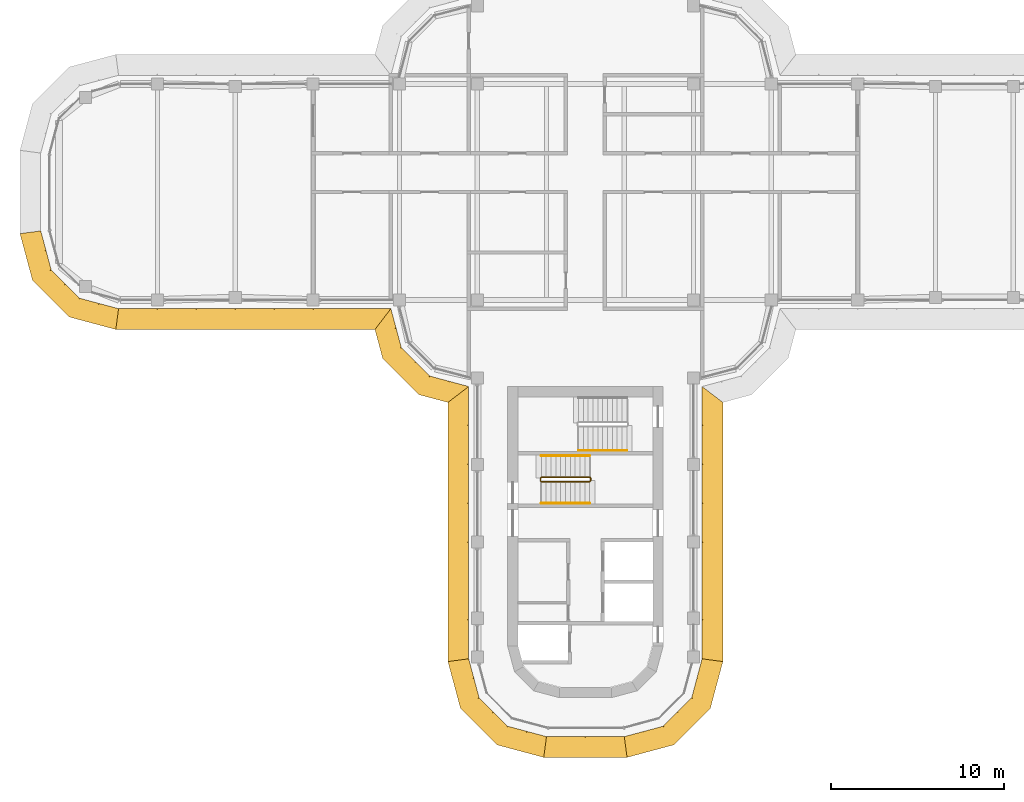
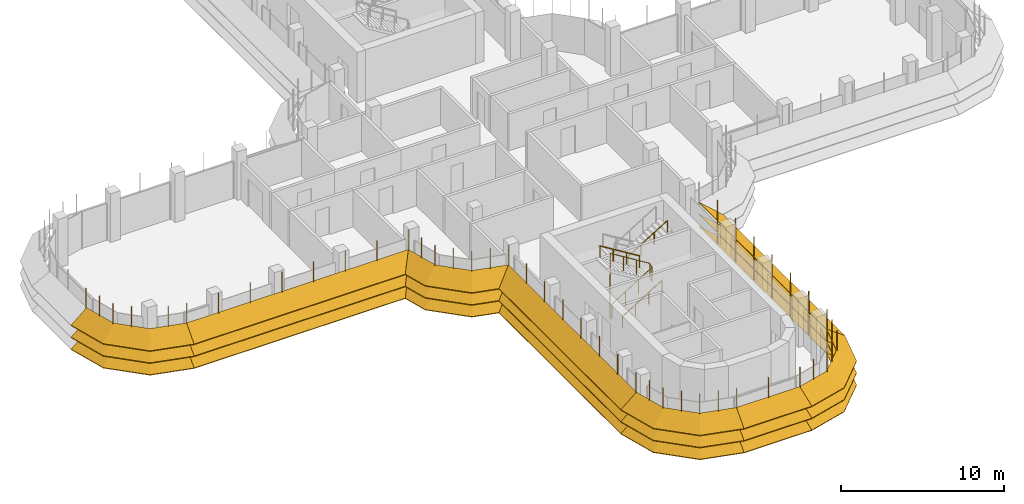
# One storey, part 16 of 18: 8 shading devices, 4 railings.
"""IFC4 building model written with IfcOpenShell, lengths in metres."""

from ifc_helpers import new_model, si_unit, direction, frame, origin, origin_2d, place, context, subcontext, project, spatial, polyline, circle, outline, extrude, faceted_brep, source, transform, mapped, material, type_object, element, save


model = new_model("IFC4")

# Units and contexts
model_context = context("Model", 3, precision=1e-05, world=origin(), true_north=direction((0.0, 1.0)))
body_context = subcontext(model_context, "Body", "Model", "MODEL_VIEW")
ifc_project = project(units=[si_unit("LENGTHUNIT", "METRE"), si_unit("AREAUNIT", "SQUARE_METRE"), si_unit("VOLUMEUNIT", "CUBIC_METRE"), si_unit("PLANEANGLEUNIT", "RADIAN"), si_unit("MASSUNIT", "GRAM", prefix="KILO")], contexts=[model_context])

# Site, building, storey
site_placement = place(None, origin())
site = spatial("IfcSite", under=ifc_project, at=site_placement, CompositionType="ELEMENT")
building_placement = place(site_placement, origin())
building = spatial("IfcBuilding", under=site, at=building_placement, Name="Zarbagh Exchange Tower", CompositionType="ELEMENT")
storey_placement = place(building_placement, frame((0.0, 0.0, 210.60009765625)))
storey = spatial("IfcBuildingStorey", under=building, at=storey_placement, Name="L51", CompositionType="ELEMENT", Elevation=210.60009765625)

# Railings
ifc_material_1 = material(Name="Stainless steel", Category="steel")
railing_type_1 = type_object("IfcRailingType", Name="Stair guard 1100 mm", PredefinedType="GUARDRAIL", material=ifc_material_1)
railing_1_placement = place(storey_placement, frame((-2.550048828125, -16.75, 0.172607421875)))
element("IfcRailing", 1, at=railing_1_placement, inside=storey, type_object=railing_type_1, Name="ST3 stair guard 1", PredefinedType="GUARDRAIL", context=body_context, shape_type="SweptSolid", body=[
    extrude(circle(Radius=0.02392578125, at=origin_2d()), frame((0.0, 0.0, 1.076171875), z_axis=(0.851089632645, 0.0, 0.525020415988), x_axis=(0.0, 1.0, 0.0)), (0.0, 0.0, 1.0), 3.2900390625),
    extrude(circle(Radius=0.02392578125, at=origin_2d()), frame((2.800048828125, 0.0, 2.80322265625), z_axis=(0.707106781187, 0.707106781187, 0.0), x_axis=(-0.707106781187, 0.707106781187, 0.0)), (0.0, 0.0, 1.0), 0.07080078125),
    extrude(circle(Radius=0.02392578125, at=origin_2d()), frame((2.85009765625, 0.050048828125, 2.80322265625), z_axis=(0.0, 1.0, 0.0), x_axis=(-1.0, 0.0, 0.0)), (0.0, 0.0, 1.0), 0.14990234375),
    extrude(circle(Radius=0.02392578125, at=origin_2d()), frame((2.85009765625, 0.199951171875, 2.80322265625), z_axis=(-0.268277960024, 0.268277960024, 0.925231793839), x_axis=(-0.707106781187, -0.707106781187, 0.0)), (0.0, 0.0, 1.0), 0.1865234375),
    extrude(circle(Radius=0.02392578125, at=origin_2d()), frame((2.800048828125, 0.25, 2.97607421875), z_axis=(-0.851089632645, 0.0, 0.525020415988), x_axis=(0.0, -1.0, 0.0)), (0.0, 0.0, 1.0), 3.2900390625),
    extrude(circle(Radius=0.02392578125, at=origin_2d()), frame((0.0, 0.25, 4.703125), z_axis=(-0.013169136761, -0.013169136761, -0.999826558796), x_axis=(0.707106781187, -0.707106781187, 0.0)), (0.0, 0.0, 1.0), 3.800537109375),
    extrude(circle(Radius=0.02392578125, at=origin_2d()), frame((-0.050048828125, 0.199951171875, 0.9033203125), z_axis=(0.0, -1.0, 0.0), x_axis=(1.0, 0.0, 0.0)), (0.0, 0.0, 1.0), 0.14990234375),
    extrude(circle(Radius=0.02099609375, at=origin_2d()), origin(), (0.0, 0.0, 1.0), 1.052001953125),
    extrude(circle(Radius=0.02099609375, at=origin_2d()), frame((0.933349609375, 0.0, 0.57568359375)), (0.0, 0.0, 1.0), 1.052001953125),
    extrude(circle(Radius=0.02099609375, at=origin_2d()), frame((1.86669921875, 0.0, 1.151611328125)), (0.0, 0.0, 1.0), 1.052001953125),
    extrude(circle(Radius=0.02099609375, at=origin_2d()), frame((2.800048828125, 0.0, 1.727294921875)), (0.0, 0.0, 1.0), 1.052001953125),
    extrude(circle(Radius=0.02099609375, at=origin_2d()), frame((2.85009765625, 0.050048828125, 1.727294921875)), (0.0, 0.0, 1.0), 1.052001953125),
    extrude(circle(Radius=0.02099609375, at=origin_2d()), frame((2.85009765625, 0.199951171875, 1.727294921875)), (0.0, 0.0, 1.0), 1.052001953125),
    extrude(circle(Radius=0.02099609375, at=origin_2d()), frame((2.800048828125, 0.25, 1.89990234375)), (0.0, 0.0, 1.0), 1.052001953125),
    extrude(circle(Radius=0.02099609375, at=origin_2d()), frame((1.86669921875, 0.25, 2.4755859375)), (0.0, 0.0, 1.0), 1.052001953125),
    extrude(circle(Radius=0.02099609375, at=origin_2d()), frame((0.933349609375, 0.25, 3.051513671875)), (0.0, 0.0, 1.0), 1.052001953125),
    extrude(circle(Radius=0.02099609375, at=origin_2d()), frame((0.0, 0.25, 3.627197265625)), (0.0, 0.0, 1.0), 1.052001953125),
    extrude(circle(Radius=0.02099609375, at=origin_2d()), frame((-0.012451171875, 0.237548828125, 2.67724609375)), (0.0, 0.0, 1.0), 1.052001953125),
    extrude(circle(Radius=0.02099609375, at=origin_2d()), frame((-0.02490234375, 0.22509765625, 1.727294921875)), (0.0, 0.0, 1.0), 1.052001953125),
    extrude(circle(Radius=0.02099609375, at=origin_2d()), frame((-0.03759765625, 0.21240234375, 0.77734375)), (0.0, 0.0, 1.0), 1.052001953125),
    extrude(circle(Radius=0.02099609375, at=origin_2d()), frame((-0.050048828125, 0.199951171875, -0.172607421875)), (0.0, 0.0, 1.0), 1.052001953125),
    extrude(circle(Radius=0.02099609375, at=origin_2d()), frame((-0.050048828125, 0.050048828125, -0.172607421875)), (0.0, 0.0, 1.0), 1.052001953125),
])
railing_type_2 = type_object("IfcRailingType", Name="Stair handrail 900 mm", PredefinedType="HANDRAIL", material=ifc_material_1)
railing_2_placement = place(storey_placement, frame((-2.550048828125, -18.0, 0.172607421875)))
element("IfcRailing", 2, at=railing_2_placement, inside=storey, type_object=railing_type_2, Name="ST3 stair handrail 1", PredefinedType="HANDRAIL", context=body_context, shape_type="SweptSolid", body=[
    extrude(circle(Radius=0.02392578125, at=origin_2d()), frame((0.0, 0.0, 0.8759765625), z_axis=(0.851089632645, 0.0, 0.525020415988), x_axis=(0.0, 1.0, 0.0)), (0.0, 0.0, 1.0), 3.2900390625),
    extrude(circle(Radius=0.02099609375, at=origin_2d()), origin(), (0.0, 0.0, 1.0), 0.851806640625),
    extrude(circle(Radius=0.02099609375, at=origin_2d()), frame((0.933349609375, 0.0, 0.57568359375)), (0.0, 0.0, 1.0), 0.851806640625),
    extrude(circle(Radius=0.02099609375, at=origin_2d()), frame((1.86669921875, 0.0, 1.151611328125)), (0.0, 0.0, 1.0), 0.851806640625),
    extrude(circle(Radius=0.02099609375, at=origin_2d()), frame((2.800048828125, 0.0, 1.727294921875)), (0.0, 0.0, 1.0), 0.851806640625),
])
railing_3_placement = place(storey_placement, frame((0.25, -15.25, 2.072509765625)))
element("IfcRailing", 3, at=railing_3_placement, inside=storey, type_object=railing_type_2, Name="ST3 stair handrail 2", PredefinedType="HANDRAIL", context=body_context, shape_type="SweptSolid", body=[
    extrude(circle(Radius=0.02392578125, at=origin_2d()), frame((0.0, 0.0, 0.8759765625), z_axis=(-0.851089632645, 0.0, 0.525020415988), x_axis=(0.0, -1.0, 0.0)), (0.0, 0.0, 1.0), 3.2900390625),
    extrude(circle(Radius=0.02099609375, at=origin_2d()), origin(), (0.0, 0.0, 1.0), 0.851806640625),
    extrude(circle(Radius=0.02099609375, at=origin_2d()), frame((-0.933349609375, 0.0, 0.57568359375)), (0.0, 0.0, 1.0), 0.851806640625),
    extrude(circle(Radius=0.02099609375, at=origin_2d()), frame((-1.86669921875, 0.0, 1.151611328125)), (0.0, 0.0, 1.0), 0.851806640625),
    extrude(circle(Radius=0.02099609375, at=origin_2d()), frame((-2.800048828125, 0.0, 1.727294921875)), (0.0, 0.0, 1.0), 0.851806640625),
])
railing_4_placement = place(storey_placement, frame((-0.39990234375, -14.949951171875, 2.072509765625)))
element("IfcRailing", 4, at=railing_4_placement, inside=storey, type_object=railing_type_2, Name="ST4 stair handrail 2", PredefinedType="HANDRAIL", context=body_context, shape_type="SweptSolid", body=[
    extrude(circle(Radius=0.02392578125, at=origin_2d()), frame((0.0, 0.0, 0.8759765625), z_axis=(0.851069175582, 0.0, 0.525053576669), x_axis=(0.0, 1.0, 0.0)), (0.0, 0.0, 1.0), 3.289794921875),
    extrude(circle(Radius=0.02099609375, at=origin_2d()), origin(), (0.0, 0.0, 1.0), 0.851806640625),
    extrude(circle(Radius=0.02099609375, at=origin_2d()), frame((0.933349609375, 0.0, 0.57568359375)), (0.0, 0.0, 1.0), 0.851806640625),
    extrude(circle(Radius=0.02099609375, at=origin_2d()), frame((1.866455078125, 0.0, 1.151611328125)), (0.0, 0.0, 1.0), 0.851806640625),
    extrude(circle(Radius=0.02099609375, at=origin_2d()), frame((2.7998046875, 0.0, 1.727294921875)), (0.0, 0.0, 1.0), 0.851806640625),
])

# Shading devices
ifc_material_2 = material(Name="Anodised aluminium blades and brackets", Category="aluminium")
shading_device_type = type_object("IfcShadingDeviceType", Name="SUNSHADE louvre band, 33.75 degree blades", PredefinedType="JALOUSIE", material=ifc_material_2)
shared_shape_1 = source(origin(), body_context, "Body", "Brep", [
    faceted_brep([(0.0, 0.0, 0.0), (0.0, 0.0, -0.048095703125), (-0.157958984375, -1.199951171875, -0.849853515625), (-0.157958984375, -1.199951171875, -0.8017578125), (2.65087890625, -1.199951171875, -0.8017578125), (2.65087890625, -1.199951171875, -0.849853515625), (2.329345703125, 0.0, -0.048095703125), (2.329345703125, 0.0, 0.0)], [[[0, 1, 2, 3]], [[4, 5, 6, 7]], [[0, 7, 6, 1]], [[1, 6, 5, 2]], [[2, 5, 4, 3]], [[3, 4, 7, 0]]]),
])
shared_shape_2 = source(origin(), body_context, "Body", "Brep", [
    faceted_brep([(0.0, 0.0, 0.0), (0.0, 0.0, -0.048095703125), (-0.321533203125, -1.199951171875, -0.849853515625), (-0.321533203125, -1.199951171875, -0.8017578125), (2.65087890625, -1.199951171875, -0.8017578125), (2.65087890625, -1.199951171875, -0.849853515625), (2.329345703125, 0.0, -0.048095703125), (2.329345703125, 0.0, 0.0)], [[[0, 1, 2, 3]], [[4, 5, 6, 7]], [[0, 7, 6, 1]], [[1, 6, 5, 2]], [[2, 5, 4, 3]], [[3, 4, 7, 0]]]),
])
shared_shape_3 = source(origin(), body_context, "Body", "Brep", [
    faceted_brep([(0.0, 0.0, 0.0), (0.0, 0.0, -0.048095703125), (-0.321533203125, -1.199951171875, -0.849853515625), (-0.321533203125, -1.199951171875, -0.8017578125), (2.4873046875, -1.199951171875, -0.8017578125), (2.4873046875, -1.199951171875, -0.849853515625), (2.329345703125, 0.0, -0.048095703125), (2.329345703125, 0.0, 0.0)], [[[0, 1, 2, 3]], [[4, 5, 6, 7]], [[0, 7, 6, 1]], [[1, 6, 5, 2]], [[2, 5, 4, 3]], [[3, 4, 7, 0]]]),
])
shared_shape_4 = source(origin(), body_context, "Body", "SweptSolid", [
    extrude(outline(polyline([(0.0, -0.012451171875), (0.06005859375, -0.012451171875), (0.06005859375, 0.012451171875), (0.0, 0.012451171875), (0.0, -0.012451171875)])), origin(), (0.0, 0.0, 1.0), 3.358154296875),
])
placement = place(storey_placement, origin())
element("IfcShadingDevice", 5, at=placement, inside=storey, type_object=shading_device_type, Name="SS35 sunshade band", PredefinedType="JALOUSIE", context=body_context, shape_type="MappedRepresentation", body=[
    mapped(shared_shape_1, transform((2.25, -31.5, 2.2998046875), x_axis=(0.965924289636, 0.258824779902, 0.0), y_axis=(-0.258824779902, 0.965924289636, 0.0), z_axis=(0.0, 0.0, 1.0))),
    mapped(shared_shape_1, transform((2.25, -31.5, 1.39990234375), x_axis=(0.965924289636, 0.258824779902, 0.0), y_axis=(-0.258824779902, 0.965924289636, 0.0), z_axis=(0.0, 0.0, 1.0))),
    mapped(shared_shape_1, transform((2.25, -31.5, 0.5), x_axis=(0.965924289636, 0.258824779902, 0.0), y_axis=(-0.258824779902, 0.965924289636, 0.0), z_axis=(0.0, 0.0, 1.0))),
    mapped(shared_shape_2, transform((4.5, -30.897216796875, 2.2998046875), x_axis=(0.707106781187, 0.707106781187, 0.0), y_axis=(-0.707106781187, 0.707106781187, 0.0), z_axis=(0.0, 0.0, 1.0))),
    mapped(shared_shape_2, transform((4.5, -30.897216796875, 1.39990234375), x_axis=(0.707106781187, 0.707106781187, 0.0), y_axis=(-0.707106781187, 0.707106781187, 0.0), z_axis=(0.0, 0.0, 1.0))),
    mapped(shared_shape_2, transform((4.5, -30.897216796875, 0.5), x_axis=(0.707106781187, 0.707106781187, 0.0), y_axis=(-0.707106781187, 0.707106781187, 0.0), z_axis=(0.0, 0.0, 1.0))),
    mapped(shared_shape_3, transform((6.147216796875, -29.25, 2.2998046875), x_axis=(0.258824779902, 0.965924289636, 0.0), y_axis=(-0.965924289636, 0.258824779902, 0.0), z_axis=(0.0, 0.0, 1.0))),
    mapped(shared_shape_3, transform((6.147216796875, -29.25, 1.39990234375), x_axis=(0.258824779902, 0.965924289636, 0.0), y_axis=(-0.965924289636, 0.258824779902, 0.0), z_axis=(0.0, 0.0, 1.0))),
    mapped(shared_shape_3, transform((6.147216796875, -29.25, 0.5), x_axis=(0.258824779902, 0.965924289636, 0.0), y_axis=(-0.965924289636, 0.258824779902, 0.0), z_axis=(0.0, 0.0, 1.0))),
    mapped(shared_shape_4, transform((2.25, -31.5, 0.421875), x_axis=(0.130529263012, -0.991444457092, 0.0), y_axis=(0.991444457092, 0.130529263012, 0.0), z_axis=(0.0, 0.0, 1.0))),
    mapped(shared_shape_4, transform((3.375, -31.198486328125, 0.421875), x_axis=(0.258825058029, -0.96592421511, 0.0), y_axis=(0.96592421511, 0.258825058029, 0.0), z_axis=(0.0, 0.0, 1.0))),
    mapped(shared_shape_4, transform((4.5, -30.897216796875, 0.421875), x_axis=(0.50000275701, -0.866023812018, 0.0), y_axis=(0.866023812018, 0.50000275701, 0.0), z_axis=(0.0, 0.0, 1.0))),
    mapped(shared_shape_4, transform((5.323486328125, -30.073486328125, 0.421875), x_axis=(0.707106781187, -0.707106781187, 0.0), y_axis=(0.707106781187, 0.707106781187, 0.0), z_axis=(0.0, 0.0, 1.0))),
    mapped(shared_shape_4, transform((6.147216796875, -29.25, 0.421875), x_axis=(0.866023812018, -0.50000275701, 0.0), y_axis=(0.50000275701, 0.866023812018, 0.0), z_axis=(0.0, 0.0, 1.0))),
    mapped(shared_shape_4, transform((6.448486328125, -28.125, 0.421875), x_axis=(0.96592421511, -0.258825058029, 0.0), y_axis=(0.258825058029, 0.96592421511, 0.0), z_axis=(0.0, 0.0, 1.0))),
])
element("IfcShadingDevice", 6, at=placement, inside=storey, type_object=shading_device_type, Name="SS43 sunshade band", PredefinedType="JALOUSIE", context=body_context, shape_type="MappedRepresentation", body=[
    mapped(shared_shape_1, transform((-31.5, -2.25, 2.2998046875), x_axis=(0.258824779902, -0.965924289636, 0.0), y_axis=(0.965924289636, 0.258824779902, 0.0), z_axis=(0.0, 0.0, 1.0))),
    mapped(shared_shape_1, transform((-31.5, -2.25, 1.39990234375), x_axis=(0.258824779902, -0.965924289636, 0.0), y_axis=(0.965924289636, 0.258824779902, 0.0), z_axis=(0.0, 0.0, 1.0))),
    mapped(shared_shape_1, transform((-31.5, -2.25, 0.5), x_axis=(0.258824779902, -0.965924289636, 0.0), y_axis=(0.965924289636, 0.258824779902, 0.0), z_axis=(0.0, 0.0, 1.0))),
    mapped(shared_shape_2, transform((-30.897216796875, -4.5, 2.2998046875), x_axis=(0.707106781187, -0.707106781187, 0.0), y_axis=(0.707106781187, 0.707106781187, 0.0), z_axis=(0.0, 0.0, 1.0))),
    mapped(shared_shape_2, transform((-30.897216796875, -4.5, 1.39990234375), x_axis=(0.707106781187, -0.707106781187, 0.0), y_axis=(0.707106781187, 0.707106781187, 0.0), z_axis=(0.0, 0.0, 1.0))),
    mapped(shared_shape_2, transform((-30.897216796875, -4.5, 0.5), x_axis=(0.707106781187, -0.707106781187, 0.0), y_axis=(0.707106781187, 0.707106781187, 0.0), z_axis=(0.0, 0.0, 1.0))),
    mapped(shared_shape_3, transform((-29.25, -6.147216796875, 2.2998046875), x_axis=(0.965924289636, -0.258824779902, 0.0), y_axis=(0.258824779902, 0.965924289636, 0.0), z_axis=(0.0, 0.0, 1.0))),
    mapped(shared_shape_3, transform((-29.25, -6.147216796875, 1.39990234375), x_axis=(0.965924289636, -0.258824779902, 0.0), y_axis=(0.258824779902, 0.965924289636, 0.0), z_axis=(0.0, 0.0, 1.0))),
    mapped(shared_shape_3, transform((-29.25, -6.147216796875, 0.5), x_axis=(0.965924289636, -0.258824779902, 0.0), y_axis=(0.258824779902, 0.965924289636, 0.0), z_axis=(0.0, 0.0, 1.0))),
    mapped(shared_shape_4, transform((-31.5, -2.25, 0.421875), x_axis=(-0.991444457092, -0.130529263012, 0.0), y_axis=(0.130529263012, -0.991444457092, 0.0), z_axis=(0.0, 0.0, 1.0))),
    mapped(shared_shape_4, transform((-31.198486328125, -3.375, 0.421875), x_axis=(-0.96592421511, -0.258825058029, 0.0), y_axis=(0.258825058029, -0.96592421511, 0.0), z_axis=(0.0, 0.0, 1.0))),
    mapped(shared_shape_4, transform((-30.897216796875, -4.5, 0.421875), x_axis=(-0.866023812018, -0.50000275701, 0.0), y_axis=(0.50000275701, -0.866023812018, 0.0), z_axis=(0.0, 0.0, 1.0))),
    mapped(shared_shape_4, transform((-30.073486328125, -5.323486328125, 0.421875), x_axis=(-0.707106781187, -0.707106781187, 0.0), y_axis=(0.707106781187, -0.707106781187, 0.0), z_axis=(0.0, 0.0, 1.0))),
    mapped(shared_shape_4, transform((-29.25, -6.147216796875, 0.421875), x_axis=(-0.50000275701, -0.866023812018, 0.0), y_axis=(0.866023812018, -0.50000275701, 0.0), z_axis=(0.0, 0.0, 1.0))),
    mapped(shared_shape_4, transform((-28.125, -6.448486328125, 0.421875), x_axis=(-0.258825058029, -0.96592421511, 0.0), y_axis=(0.96592421511, -0.258825058029, 0.0), z_axis=(0.0, 0.0, 1.0))),
])
element("IfcShadingDevice", 7, at=placement, inside=storey, type_object=shading_device_type, Name="SS38 sunshade band", PredefinedType="JALOUSIE", context=body_context, shape_type="MappedRepresentation", body=[
    mapped(shared_shape_1, transform((-6.75, -27.0, 2.2998046875), x_axis=(0.258824779902, -0.965924289636, 0.0), y_axis=(0.965924289636, 0.258824779902, 0.0), z_axis=(0.0, 0.0, 1.0))),
    mapped(shared_shape_1, transform((-6.75, -27.0, 1.39990234375), x_axis=(0.258824779902, -0.965924289636, 0.0), y_axis=(0.965924289636, 0.258824779902, 0.0), z_axis=(0.0, 0.0, 1.0))),
    mapped(shared_shape_1, transform((-6.75, -27.0, 0.5), x_axis=(0.258824779902, -0.965924289636, 0.0), y_axis=(0.965924289636, 0.258824779902, 0.0), z_axis=(0.0, 0.0, 1.0))),
    mapped(shared_shape_2, transform((-6.147216796875, -29.25, 2.2998046875), x_axis=(0.707106781187, -0.707106781187, 0.0), y_axis=(0.707106781187, 0.707106781187, 0.0), z_axis=(0.0, 0.0, 1.0))),
    mapped(shared_shape_2, transform((-6.147216796875, -29.25, 1.39990234375), x_axis=(0.707106781187, -0.707106781187, 0.0), y_axis=(0.707106781187, 0.707106781187, 0.0), z_axis=(0.0, 0.0, 1.0))),
    mapped(shared_shape_2, transform((-6.147216796875, -29.25, 0.5), x_axis=(0.707106781187, -0.707106781187, 0.0), y_axis=(0.707106781187, 0.707106781187, 0.0), z_axis=(0.0, 0.0, 1.0))),
    mapped(shared_shape_3, transform((-4.5, -30.897216796875, 2.2998046875), x_axis=(0.965924289636, -0.258824779902, 0.0), y_axis=(0.258824779902, 0.965924289636, 0.0), z_axis=(0.0, 0.0, 1.0))),
    mapped(shared_shape_3, transform((-4.5, -30.897216796875, 1.39990234375), x_axis=(0.965924289636, -0.258824779902, 0.0), y_axis=(0.258824779902, 0.965924289636, 0.0), z_axis=(0.0, 0.0, 1.0))),
    mapped(shared_shape_3, transform((-4.5, -30.897216796875, 0.5), x_axis=(0.965924289636, -0.258824779902, 0.0), y_axis=(0.258824779902, 0.965924289636, 0.0), z_axis=(0.0, 0.0, 1.0))),
    mapped(shared_shape_4, transform((-6.75, -27.0, 0.421875), x_axis=(-0.991444457092, -0.130529263012, 0.0), y_axis=(0.130529263012, -0.991444457092, 0.0), z_axis=(0.0, 0.0, 1.0))),
    mapped(shared_shape_4, transform((-6.448486328125, -28.125, 0.421875), x_axis=(-0.96592421511, -0.258825058029, 0.0), y_axis=(0.258825058029, -0.96592421511, 0.0), z_axis=(0.0, 0.0, 1.0))),
    mapped(shared_shape_4, transform((-6.147216796875, -29.25, 0.421875), x_axis=(-0.866023812018, -0.50000275701, 0.0), y_axis=(0.50000275701, -0.866023812018, 0.0), z_axis=(0.0, 0.0, 1.0))),
    mapped(shared_shape_4, transform((-5.323486328125, -30.073486328125, 0.421875), x_axis=(-0.707106781187, -0.707106781187, 0.0), y_axis=(0.707106781187, -0.707106781187, 0.0), z_axis=(0.0, 0.0, 1.0))),
    mapped(shared_shape_4, transform((-4.5, -30.897216796875, 0.421875), x_axis=(-0.50000275701, -0.866023812018, 0.0), y_axis=(0.866023812018, -0.50000275701, 0.0), z_axis=(0.0, 0.0, 1.0))),
    mapped(shared_shape_4, transform((-3.375, -31.198486328125, 0.421875), x_axis=(-0.258825058029, -0.96592421511, 0.0), y_axis=(0.96592421511, -0.258825058029, 0.0), z_axis=(0.0, 0.0, 1.0))),
])
shared_shape_5 = source(origin(), body_context, "Body", "Brep", [
    faceted_brep([(0.0, 0.0, 0.0), (0.0, 0.0, -0.048095703125), (0.9208984375, -1.199951171875, -0.849853515625), (0.9208984375, -1.199951171875, -0.8017578125), (2.65087890625, -1.199951171875, -0.8017578125), (2.65087890625, -1.199951171875, -0.849853515625), (2.329345703125, 0.0, -0.048095703125), (2.329345703125, 0.0, 0.0)], [[[0, 1, 2, 3]], [[4, 5, 6, 7]], [[0, 7, 6, 1]], [[1, 6, 5, 2]], [[2, 5, 4, 3]], [[3, 4, 7, 0]]]),
])
shared_shape_6 = source(origin(), body_context, "Body", "Brep", [
    faceted_brep([(0.0, 0.0, 0.0), (0.0, 0.0, -0.048095703125), (-0.321533203125, -1.199951171875, -0.849853515625), (-0.321533203125, -1.199951171875, -0.8017578125), (1.40869140625, -1.199951171875, -0.8017578125), (1.40869140625, -1.199951171875, -0.849853515625), (2.329345703125, 0.0, -0.048095703125), (2.329345703125, 0.0, 0.0)], [[[0, 1, 2, 3]], [[4, 5, 6, 7]], [[0, 7, 6, 1]], [[1, 6, 5, 2]], [[2, 5, 4, 3]], [[3, 4, 7, 0]]]),
])
element("IfcShadingDevice", 8, at=placement, inside=storey, type_object=shading_device_type, Name="SS21 sunshade band", PredefinedType="JALOUSIE", context=body_context, shape_type="MappedRepresentation", body=[
    mapped(shared_shape_5, transform((-11.25, -6.75, 2.2998046875), x_axis=(0.258824779902, -0.965924289636, 0.0), y_axis=(0.965924289636, 0.258824779902, 0.0), z_axis=(0.0, 0.0, 1.0))),
    mapped(shared_shape_5, transform((-11.25, -6.75, 1.39990234375), x_axis=(0.258824779902, -0.965924289636, 0.0), y_axis=(0.965924289636, 0.258824779902, 0.0), z_axis=(0.0, 0.0, 1.0))),
    mapped(shared_shape_5, transform((-11.25, -6.75, 0.5), x_axis=(0.258824779902, -0.965924289636, 0.0), y_axis=(0.965924289636, 0.258824779902, 0.0), z_axis=(0.0, 0.0, 1.0))),
    mapped(shared_shape_2, transform((-10.647216796875, -9.0, 2.2998046875), x_axis=(0.707106781187, -0.707106781187, 0.0), y_axis=(0.707106781187, 0.707106781187, 0.0), z_axis=(0.0, 0.0, 1.0))),
    mapped(shared_shape_2, transform((-10.647216796875, -9.0, 1.39990234375), x_axis=(0.707106781187, -0.707106781187, 0.0), y_axis=(0.707106781187, 0.707106781187, 0.0), z_axis=(0.0, 0.0, 1.0))),
    mapped(shared_shape_2, transform((-10.647216796875, -9.0, 0.5), x_axis=(0.707106781187, -0.707106781187, 0.0), y_axis=(0.707106781187, 0.707106781187, 0.0), z_axis=(0.0, 0.0, 1.0))),
    mapped(shared_shape_6, transform((-9.0, -10.647216796875, 2.2998046875), x_axis=(0.965924289636, -0.258824779902, 0.0), y_axis=(0.258824779902, 0.965924289636, 0.0), z_axis=(0.0, 0.0, 1.0))),
    mapped(shared_shape_6, transform((-9.0, -10.647216796875, 1.39990234375), x_axis=(0.965924289636, -0.258824779902, 0.0), y_axis=(0.258824779902, 0.965924289636, 0.0), z_axis=(0.0, 0.0, 1.0))),
    mapped(shared_shape_6, transform((-9.0, -10.647216796875, 0.5), x_axis=(0.965924289636, -0.258824779902, 0.0), y_axis=(0.258824779902, 0.965924289636, 0.0), z_axis=(0.0, 0.0, 1.0))),
    mapped(shared_shape_4, transform((-11.25, -6.75, 0.421875), x_axis=(-0.608758892, -0.793355287, 0.0), y_axis=(0.793355287, -0.608758892, 0.0), z_axis=(0.0, 0.0, 1.0))),
    mapped(shared_shape_4, transform((-10.948486328125, -7.875, 0.421875), x_axis=(-0.96592421511, -0.258825058029, 0.0), y_axis=(0.258825058029, -0.96592421511, 0.0), z_axis=(0.0, 0.0, 1.0))),
    mapped(shared_shape_4, transform((-10.647216796875, -9.0, 0.421875), x_axis=(-0.866023812018, -0.50000275701, 0.0), y_axis=(0.50000275701, -0.866023812018, 0.0), z_axis=(0.0, 0.0, 1.0))),
    mapped(shared_shape_4, transform((-9.823486328125, -9.823486328125, 0.421875), x_axis=(-0.707106781187, -0.707106781187, 0.0), y_axis=(0.707106781187, -0.707106781187, 0.0), z_axis=(0.0, 0.0, 1.0))),
    mapped(shared_shape_4, transform((-9.0, -10.647216796875, 0.421875), x_axis=(-0.50000275701, -0.866023812018, 0.0), y_axis=(0.866023812018, -0.50000275701, 0.0), z_axis=(0.0, 0.0, 1.0))),
    mapped(shared_shape_4, transform((-7.875, -10.948486328125, 0.421875), x_axis=(-0.258825058029, -0.96592421511, 0.0), y_axis=(0.96592421511, -0.258825058029, 0.0), z_axis=(0.0, 0.0, 1.0))),
])
shared_shape_7 = source(origin(), body_context, "Body", "Brep", [
    faceted_brep([(0.0, 0.0, 0.0), (0.0, 0.0, -0.048095703125), (-0.157958984375, -1.199951171875, -0.849853515625), (-0.157958984375, -1.199951171875, -0.8017578125), (14.8291015625, -1.199951171875, -0.8017578125), (14.8291015625, -1.199951171875, -0.849853515625), (15.75, 0.0, -0.048095703125), (15.75, 0.0, 0.0)], [[[0, 1, 2, 3]], [[4, 5, 6, 7]], [[0, 7, 6, 1]], [[1, 6, 5, 2]], [[2, 5, 4, 3]], [[3, 4, 7, 0]]]),
])
element("IfcShadingDevice", 9, at=placement, inside=storey, type_object=shading_device_type, Name="SS36 sunshade band", PredefinedType="JALOUSIE", context=body_context, shape_type="MappedRepresentation", body=[
    mapped(shared_shape_7, transform((6.75, -27.0, 2.2998046875), x_axis=(0.0, 1.0, 0.0), y_axis=(-1.0, 0.0, 0.0), z_axis=(0.0, 0.0, 1.0))),
    mapped(shared_shape_7, transform((6.75, -27.0, 1.39990234375), x_axis=(0.0, 1.0, 0.0), y_axis=(-1.0, 0.0, 0.0), z_axis=(0.0, 0.0, 1.0))),
    mapped(shared_shape_7, transform((6.75, -27.0, 0.5), x_axis=(0.0, 1.0, 0.0), y_axis=(-1.0, 0.0, 0.0), z_axis=(0.0, 0.0, 1.0))),
    mapped(shared_shape_4, transform((6.75, -27.0, 0.421875), x_axis=(0.991444457092, -0.130529263012, 0.0), y_axis=(0.130529263012, 0.991444457092, 0.0), z_axis=(0.0, 0.0, 1.0))),
    mapped(shared_shape_4, transform((6.75, -24.75, 0.421875), x_axis=(1.0, 0.0, 0.0), y_axis=(0.0, 1.0, 0.0), z_axis=(0.0, 0.0, 1.0))),
    mapped(shared_shape_4, transform((6.75, -22.5, 0.421875), x_axis=(1.0, 0.0, 0.0), y_axis=(0.0, 1.0, 0.0), z_axis=(0.0, 0.0, 1.0))),
    mapped(shared_shape_4, transform((6.75, -20.25, 0.421875), x_axis=(1.0, 0.0, 0.0), y_axis=(0.0, 1.0, 0.0), z_axis=(0.0, 0.0, 1.0))),
    mapped(shared_shape_4, transform((6.75, -18.0, 0.421875), x_axis=(1.0, 0.0, 0.0), y_axis=(0.0, 1.0, 0.0), z_axis=(0.0, 0.0, 1.0))),
    mapped(shared_shape_4, transform((6.75, -15.75, 0.421875), x_axis=(1.0, 0.0, 0.0), y_axis=(0.0, 1.0, 0.0), z_axis=(0.0, 0.0, 1.0))),
    mapped(shared_shape_4, transform((6.75, -13.5, 0.421875), x_axis=(1.0, 0.0, 0.0), y_axis=(0.0, 1.0, 0.0), z_axis=(0.0, 0.0, 1.0))),
])
element("IfcShadingDevice", 10, at=placement, inside=storey, type_object=shading_device_type, Name="SS44 sunshade band", PredefinedType="JALOUSIE", context=body_context, shape_type="MappedRepresentation", body=[
    mapped(shared_shape_7, transform((-27.0, -6.75, 2.2998046875), x_axis=(1.0, 0.0, 0.0), y_axis=(0.0, 1.0, 0.0), z_axis=(0.0, 0.0, 1.0))),
    mapped(shared_shape_7, transform((-27.0, -6.75, 1.39990234375), x_axis=(1.0, 0.0, 0.0), y_axis=(0.0, 1.0, 0.0), z_axis=(0.0, 0.0, 1.0))),
    mapped(shared_shape_7, transform((-27.0, -6.75, 0.5), x_axis=(1.0, 0.0, 0.0), y_axis=(0.0, 1.0, 0.0), z_axis=(0.0, 0.0, 1.0))),
    mapped(shared_shape_4, transform((-27.0, -6.75, 0.421875), x_axis=(-0.130529263012, -0.991444457092, 0.0), y_axis=(0.991444457092, -0.130529263012, 0.0), z_axis=(0.0, 0.0, 1.0))),
    mapped(shared_shape_4, transform((-24.75, -6.75, 0.421875), x_axis=(0.0, -1.0, 0.0), y_axis=(1.0, 0.0, 0.0), z_axis=(0.0, 0.0, 1.0))),
    mapped(shared_shape_4, transform((-22.5, -6.75, 0.421875), x_axis=(0.0, -1.0, 0.0), y_axis=(1.0, 0.0, 0.0), z_axis=(0.0, 0.0, 1.0))),
    mapped(shared_shape_4, transform((-20.25, -6.75, 0.421875), x_axis=(0.0, -1.0, 0.0), y_axis=(1.0, 0.0, 0.0), z_axis=(0.0, 0.0, 1.0))),
    mapped(shared_shape_4, transform((-18.0, -6.75, 0.421875), x_axis=(0.0, -1.0, 0.0), y_axis=(1.0, 0.0, 0.0), z_axis=(0.0, 0.0, 1.0))),
    mapped(shared_shape_4, transform((-15.75, -6.75, 0.421875), x_axis=(0.0, -1.0, 0.0), y_axis=(1.0, 0.0, 0.0), z_axis=(0.0, 0.0, 1.0))),
    mapped(shared_shape_4, transform((-13.5, -6.75, 0.421875), x_axis=(0.0, -1.0, 0.0), y_axis=(1.0, 0.0, 0.0), z_axis=(0.0, 0.0, 1.0))),
])
shared_shape_8 = source(origin(), body_context, "Body", "Brep", [
    faceted_brep([(0.0, 0.0, 0.0), (0.0, 0.0, -0.048095703125), (0.9208984375, -1.199951171875, -0.849853515625), (0.9208984375, -1.199951171875, -0.8017578125), (15.907958984375, -1.199951171875, -0.8017578125), (15.907958984375, -1.199951171875, -0.849853515625), (15.75, 0.0, -0.048095703125), (15.75, 0.0, 0.0)], [[[0, 1, 2, 3]], [[4, 5, 6, 7]], [[0, 7, 6, 1]], [[1, 6, 5, 2]], [[2, 5, 4, 3]], [[3, 4, 7, 0]]]),
])
element("IfcShadingDevice", 11, at=placement, inside=storey, type_object=shading_device_type, Name="SS37 sunshade band", PredefinedType="JALOUSIE", context=body_context, shape_type="MappedRepresentation", body=[
    mapped(shared_shape_8, transform((-6.75, -11.25, 2.2998046875), x_axis=(0.0, -1.0, 0.0), y_axis=(1.0, 0.0, 0.0), z_axis=(0.0, 0.0, 1.0))),
    mapped(shared_shape_8, transform((-6.75, -11.25, 1.39990234375), x_axis=(0.0, -1.0, 0.0), y_axis=(1.0, 0.0, 0.0), z_axis=(0.0, 0.0, 1.0))),
    mapped(shared_shape_8, transform((-6.75, -11.25, 0.5), x_axis=(0.0, -1.0, 0.0), y_axis=(1.0, 0.0, 0.0), z_axis=(0.0, 0.0, 1.0))),
    mapped(shared_shape_4, transform((-6.75, -11.25, 0.421875), x_axis=(-0.793355287, -0.608758892, 0.0), y_axis=(0.608758892, -0.793355287, 0.0), z_axis=(0.0, 0.0, 1.0))),
    mapped(shared_shape_4, transform((-6.75, -13.5, 0.421875), x_axis=(-1.0, 0.0, 0.0), y_axis=(0.0, -1.0, 0.0), z_axis=(0.0, 0.0, 1.0))),
    mapped(shared_shape_4, transform((-6.75, -15.75, 0.421875), x_axis=(-1.0, 0.0, 0.0), y_axis=(0.0, -1.0, 0.0), z_axis=(0.0, 0.0, 1.0))),
    mapped(shared_shape_4, transform((-6.75, -18.0, 0.421875), x_axis=(-1.0, 0.0, 0.0), y_axis=(0.0, -1.0, 0.0), z_axis=(0.0, 0.0, 1.0))),
    mapped(shared_shape_4, transform((-6.75, -20.25, 0.421875), x_axis=(-1.0, 0.0, 0.0), y_axis=(0.0, -1.0, 0.0), z_axis=(0.0, 0.0, 1.0))),
    mapped(shared_shape_4, transform((-6.75, -22.5, 0.421875), x_axis=(-1.0, 0.0, 0.0), y_axis=(0.0, -1.0, 0.0), z_axis=(0.0, 0.0, 1.0))),
    mapped(shared_shape_4, transform((-6.75, -24.75, 0.421875), x_axis=(-1.0, 0.0, 0.0), y_axis=(0.0, -1.0, 0.0), z_axis=(0.0, 0.0, 1.0))),
])
shared_shape_9 = source(origin(), body_context, "Body", "Brep", [
    faceted_brep([(0.0, 0.0, 0.0), (0.0, 0.0, -0.048095703125), (-0.157958984375, -1.199951171875, -0.849853515625), (-0.157958984375, -1.199951171875, -0.8017578125), (4.657958984375, -1.199951171875, -0.8017578125), (4.657958984375, -1.199951171875, -0.849853515625), (4.5, 0.0, -0.048095703125), (4.5, 0.0, 0.0)], [[[0, 1, 2, 3]], [[4, 5, 6, 7]], [[0, 7, 6, 1]], [[1, 6, 5, 2]], [[2, 5, 4, 3]], [[3, 4, 7, 0]]]),
])
element("IfcShadingDevice", 12, at=placement, inside=storey, type_object=shading_device_type, Name="SS39 sunshade band", PredefinedType="JALOUSIE", context=body_context, shape_type="MappedRepresentation", body=[
    mapped(shared_shape_9, transform((-2.25, -31.5, 2.2998046875), x_axis=(1.0, 0.0, 0.0), y_axis=(0.0, 1.0, 0.0), z_axis=(0.0, 0.0, 1.0))),
    mapped(shared_shape_9, transform((-2.25, -31.5, 1.39990234375), x_axis=(1.0, 0.0, 0.0), y_axis=(0.0, 1.0, 0.0), z_axis=(0.0, 0.0, 1.0))),
    mapped(shared_shape_9, transform((-2.25, -31.5, 0.5), x_axis=(1.0, 0.0, 0.0), y_axis=(0.0, 1.0, 0.0), z_axis=(0.0, 0.0, 1.0))),
    mapped(shared_shape_4, transform((-2.25, -31.5, 0.421875), x_axis=(-0.130529263012, -0.991444457092, 0.0), y_axis=(0.991444457092, -0.130529263012, 0.0), z_axis=(0.0, 0.0, 1.0))),
    mapped(shared_shape_4, transform((0.0, -31.5, 0.421875), x_axis=(0.0, -1.0, 0.0), y_axis=(1.0, 0.0, 0.0), z_axis=(0.0, 0.0, 1.0))),
])

save(model, "model.ifc")
